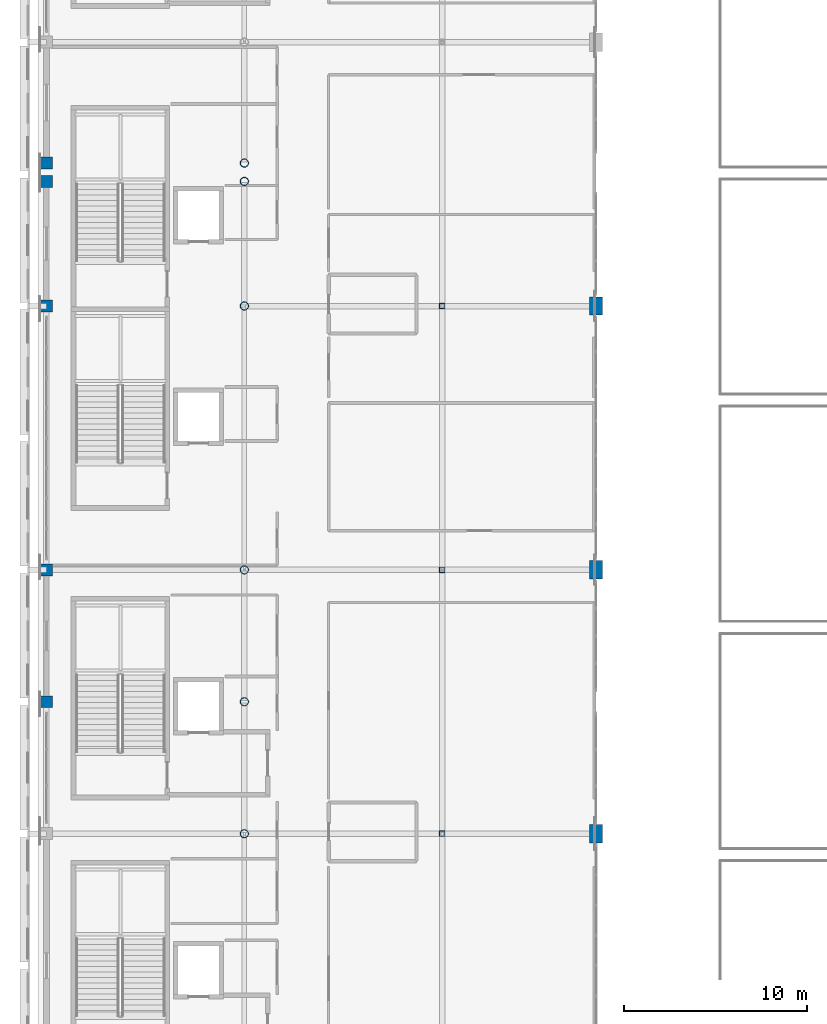
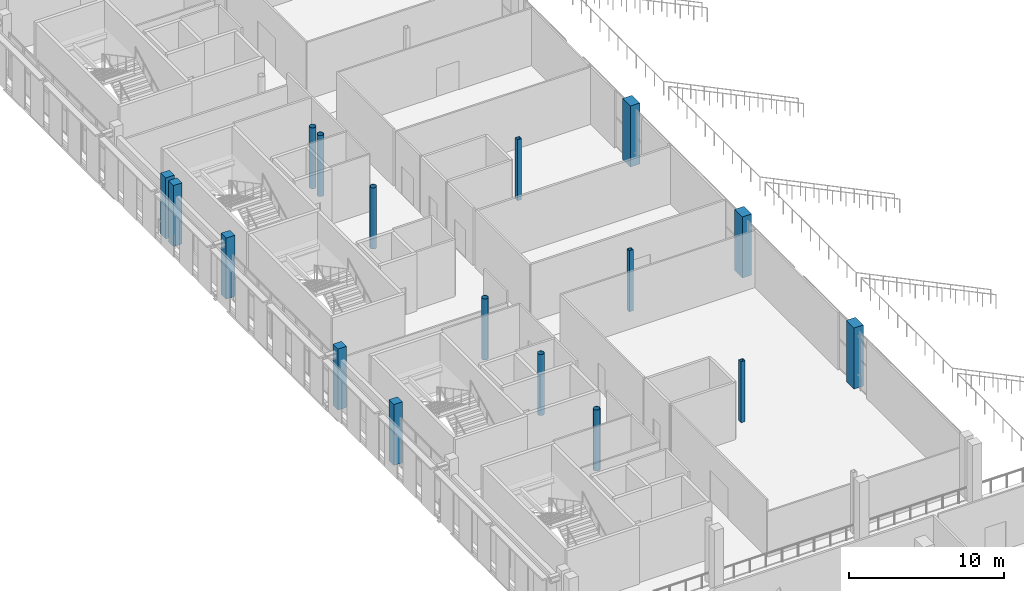
# One storey, part 3 of 104: 17 columns.
"""IFC4 building model written with IfcOpenShell, lengths in metres."""

from ifc_helpers import new_model, si_unit, direction, frame, origin, origin_2d, place, context, subcontext, project, spatial, rectangle, hollow_rectangle, hollow_circle, extrude, material, material_profile, profile_set, type_object, element, save


model = new_model("IFC4")

# Units and contexts
model_context = context("Model", 3, precision=1e-05, world=origin(), true_north=direction((0.0, 1.0)))
body_context = subcontext(model_context, "Body", "Model", "MODEL_VIEW")
ifc_project = project(units=[si_unit("LENGTHUNIT", "METRE"), si_unit("AREAUNIT", "SQUARE_METRE"), si_unit("VOLUMEUNIT", "CUBIC_METRE"), si_unit("PLANEANGLEUNIT", "RADIAN"), si_unit("MASSUNIT", "GRAM", prefix="KILO")], contexts=[model_context])

# Site, building, storey
site_placement = place(None, origin())
site = spatial("IfcSite", under=ifc_project, at=site_placement, CompositionType="ELEMENT")
building_placement = place(site_placement, origin())
building = spatial("IfcBuilding", under=site, at=building_placement, Name="Koshinbarg Plaza Stadium", CompositionType="ELEMENT")
storey_placement = place(building_placement, frame((0.0, 0.0, 19.800048828125)))
storey = spatial("IfcBuildingStorey", under=building, at=storey_placement, Name="L04", CompositionType="ELEMENT", Elevation=19.800048828125)

# Columns
ifc_material_1 = material(Name="Concrete C40/50", Category="concrete")
ifc_material_profile_1 = material_profile(ifc_material_1, rectangle(XDim=0.64990234375, YDim=0.64990234375, at=origin_2d()), Name="RC 650x650")
ifc_profile_set_1 = profile_set([ifc_material_profile_1], Name="Concrete C40/50")
column_type_1 = type_object("IfcColumnType", Name="COL-RC-05", PredefinedType="COLUMN", material=ifc_profile_set_1)
for number, where, z_axis, x_axis, name in (
    (1, (24.60009765625, 47.10009765625, 0.0), (0.0, 0.0, 1.0), (1.0, 0.0, 0.0), "L04 column 5/G"),
    (2, (24.60009765625, 54.300048828125, 0.0), (0.0, 0.0, 1.0), (1.0, 0.0, 0.0), "L04 column 5/H"),
    (3, (24.60009765625, 68.699951171875, 0.0), (0.0, 0.0, 1.0), (1.0, 0.0, 0.0), "L04 column 5/J"),
    (4, (24.60009765625, 75.5, 0.0), (0.0, 0.0, 1.0), (1.0, 0.0, 0.0), "L04 column 5/K"),
    (5, (24.60009765625, 76.5, 0.0), (0.0, 0.0, 1.0), (1.0, 0.0, 0.0), "L04 column 5/L"),
):
    element("IfcColumn", number, at=place(storey_placement, frame(where, z_axis=z_axis, x_axis=x_axis)), inside=storey, type_object=column_type_1, Name=name, PredefinedType="COLUMN", context=body_context, shape_type="SweptSolid", body=[
        extrude(rectangle(XDim=0.64990234375, YDim=0.64990234375, at=origin_2d()), origin(), (0.0, 0.0, 1.0), 4.800048828125),
    ])
ifc_material_profile_2 = material_profile(ifc_material_1, rectangle(XDim=0.699951171875, YDim=1.0, at=origin_2d()), Name="RC 700x1000")
ifc_profile_set_2 = profile_set([ifc_material_profile_2], Name="Concrete C40/50")
column_type_2 = type_object("IfcColumnType", Name="COL-RC-13", PredefinedType="COLUMN", material=ifc_profile_set_2)
for number, where, z_axis, x_axis, name in (
    (6, (54.60009765625, 39.89990234375, 0.0), (0.0, 0.0, 1.0), (1.0, 0.0, 0.0), "L04 column 8/F"),
    (7, (54.60009765625, 54.300048828125, 0.0), (0.0, 0.0, 1.0), (1.0, 0.0, 0.0), "L04 column 8/H"),
    (8, (54.60009765625, 68.699951171875, 0.0), (0.0, 0.0, 1.0), (1.0, 0.0, 0.0), "L04 column 8/J"),
):
    element("IfcColumn", number, at=place(storey_placement, frame(where, z_axis=z_axis, x_axis=x_axis)), inside=storey, type_object=column_type_2, Name=name, PredefinedType="COLUMN", context=body_context, shape_type="SweptSolid", body=[
        extrude(rectangle(XDim=0.699951171875, YDim=1.0, at=origin_2d()), origin(), (0.0, 0.0, 1.0), 4.800048828125),
    ])
ifc_material_2 = material(Name="Steel S355", Category="steel")
ifc_material_profile_3 = material_profile(ifc_material_2, hollow_circle(Radius=0.228515625, WallThickness=0.02001953125, at=origin_2d()), Name="CHS 457x20")
ifc_profile_set_3 = profile_set([ifc_material_profile_3], Name="Steel S355")
column_type_3 = type_object("IfcColumnType", Name="COL-STL-05", PredefinedType="COLUMN", material=ifc_profile_set_3)
for number, where, z_axis, x_axis, name in (
    (9, (35.39990234375, 39.89990234375, 0.0), (0.0, 0.0, 1.0), (1.0, 0.0, 0.0), "L04 column 6/F"),
    (10, (35.39990234375, 47.10009765625, 0.0), (0.0, 0.0, 1.0), (1.0, 0.0, 0.0), "L04 column 6/G"),
    (11, (35.39990234375, 54.300048828125, 0.0), (0.0, 0.0, 1.0), (1.0, 0.0, 0.0), "L04 column 6/H"),
    (12, (35.39990234375, 68.699951171875, 0.0), (0.0, 0.0, 1.0), (1.0, 0.0, 0.0), "L04 column 6/J"),
    (13, (35.39990234375, 75.5, 0.0), (0.0, 0.0, 1.0), (1.0, 0.0, 0.0), "L04 column 6/K"),
    (14, (35.39990234375, 76.5, 0.0), (0.0, 0.0, 1.0), (1.0, 0.0, 0.0), "L04 column 6/L"),
):
    element("IfcColumn", number, at=place(storey_placement, frame(where, z_axis=z_axis, x_axis=x_axis)), inside=storey, type_object=column_type_3, Name=name, PredefinedType="COLUMN", context=body_context, shape_type="SweptSolid", body=[
        extrude(hollow_circle(Radius=0.228515625, WallThickness=0.02001953125, at=origin_2d()), origin(), (0.0, 0.0, 1.0), 4.800048828125),
    ])
ifc_material_profile_4 = material_profile(ifc_material_2, hollow_rectangle(XDim=0.300048828125, YDim=0.300048828125, WallThickness=0.01611328125, at=origin_2d()), Name="SHS 300x300x16")
ifc_profile_set_4 = profile_set([ifc_material_profile_4], Name="Steel S355")
column_type_4 = type_object("IfcColumnType", Name="COL-STL-06", PredefinedType="COLUMN", material=ifc_profile_set_4)
for number, where, z_axis, x_axis, name in (
    (15, (46.199951171875, 39.89990234375, 0.0), (0.0, 0.0, 1.0), (1.0, 0.0, 0.0), "L04 column 7/F"),
    (16, (46.199951171875, 54.300048828125, 0.0), (0.0, 0.0, 1.0), (1.0, 0.0, 0.0), "L04 column 7/H"),
    (17, (46.199951171875, 68.699951171875, 0.0), (0.0, 0.0, 1.0), (1.0, 0.0, 0.0), "L04 column 7/J"),
):
    element("IfcColumn", number, at=place(storey_placement, frame(where, z_axis=z_axis, x_axis=x_axis)), inside=storey, type_object=column_type_4, Name=name, PredefinedType="COLUMN", context=body_context, shape_type="SweptSolid", body=[
        extrude(hollow_rectangle(XDim=0.300048828125, YDim=0.300048828125, WallThickness=0.01611328125, at=origin_2d()), origin(), (0.0, 0.0, 1.0), 4.800048828125),
    ])

save(model, "model.ifc")
